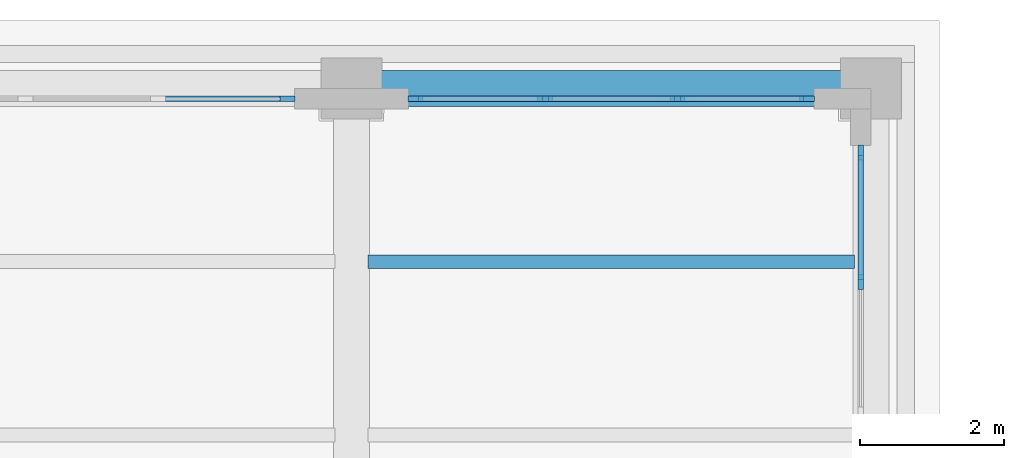
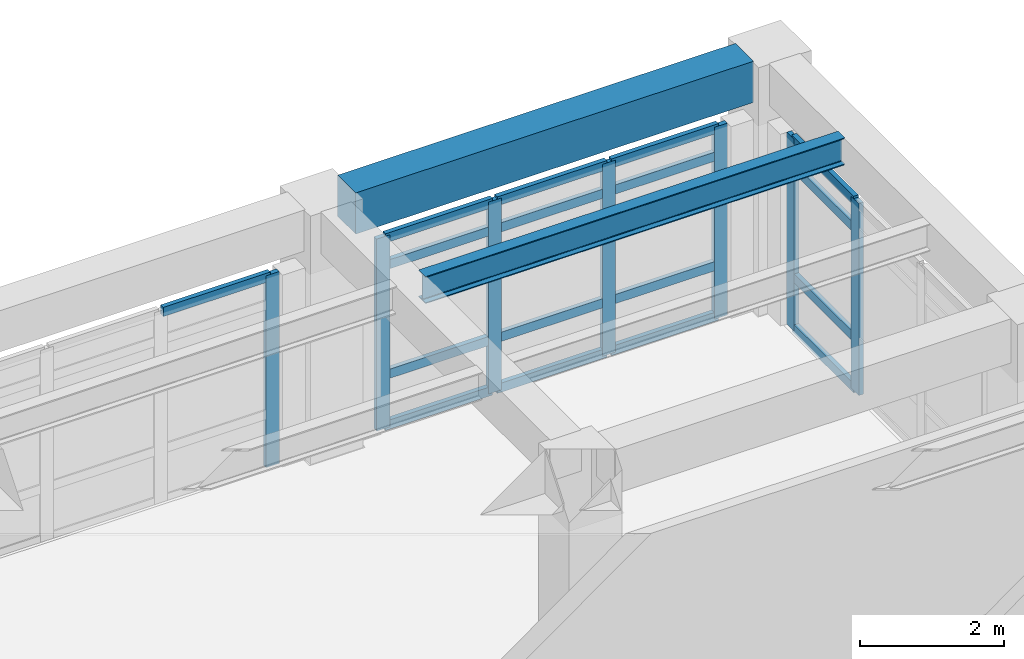
# One storey, part 34 of 69: 24 members, 2 beams, 3 elements without a shape of their own.
"""IFC4 building model written with IfcOpenShell, lengths in metres."""

from ifc_helpers import new_model, si_unit, direction, frame, origin, origin_2d, place, context, subcontext, project, spatial, rectangle, i_section, extrude, material, layer, layer_set, material_profile, profile_set, type_object, element, aggregate, save


model = new_model("IFC4")

# Units and contexts
model_context = context("Model", 3, precision=1e-05, world=origin(), true_north=direction((0.0, 1.0)))
body_context = subcontext(model_context, "Body", "Model", "MODEL_VIEW")
ifc_project = project(units=[si_unit("LENGTHUNIT", "METRE"), si_unit("AREAUNIT", "SQUARE_METRE"), si_unit("VOLUMEUNIT", "CUBIC_METRE"), si_unit("PLANEANGLEUNIT", "RADIAN"), si_unit("MASSUNIT", "GRAM", prefix="KILO")], contexts=[model_context])

# Site, building, storey
site_placement = place(None, origin())
site = spatial("IfcSite", under=ifc_project, at=site_placement, CompositionType="ELEMENT")
building_placement = place(site_placement, origin())
building = spatial("IfcBuilding", under=site, at=building_placement, Name="Solenvale Faculty of Natural Sciences", CompositionType="ELEMENT")
storey_placement = place(building_placement, frame((0.0, 0.0, 4.5)))
storey = spatial("IfcBuildingStorey", under=building, at=storey_placement, Name="L01", CompositionType="ELEMENT", Elevation=4.5)

# Beams
ifc_material_1 = material(Name="Precast concrete 40 MPa", Category="concrete")
ifc_material_profile_1 = material_profile(ifc_material_1, rectangle(XDim=0.5, YDim=0.699951171875, at=origin_2d()), Name="RC-BM-500x700")
ifc_profile_set_1 = profile_set([ifc_material_profile_1], Name="Precast concrete 40 MPa")
beam_type_1 = type_object("IfcBeamType", Name="BM-SPN-PRC-700", PredefinedType="SPANDREL", material=ifc_profile_set_1)
beam_1_placement = place(storey_placement, frame((144.405029296875, 115.199951171875, 3.8701171875), z_axis=(1.0, 0.0, 0.0), x_axis=(0.0, 1.0, 0.0)))
element("IfcBeam", 1, at=beam_1_placement, inside=storey, type_object=beam_type_1, Name="L01 X-Girder Y115.2 (144.0..151.2)", PredefinedType="SPANDREL", context=body_context, shape_type="SweptSolid", body=[
    extrude(rectangle(XDim=0.5, YDim=0.699951171875, at=origin_2d()), origin(), (0.0, 0.0, 1.0), 6.389892578125),
])
ifc_material_2 = material(Name="Steel S355", Category="steel")
ifc_material_profile_2 = material_profile(ifc_material_2, i_section(OverallWidth=0.19091796875, OverallDepth=0.4599609375, WebThickness=0.010009765625, FlangeThickness=0.01611328125, FilletRadius=0.01806640625, at=origin_2d()), Name="W460x82")
ifc_profile_set_2 = profile_set([ifc_material_profile_2], Name="Steel S355")
beam_type_2 = type_object("IfcBeamType", Name="BM-STL-W460x82", PredefinedType="JOIST", material=ifc_profile_set_2)
beam_2_placement = place(storey_placement, frame((144.22998046875, 112.800048828125, 3.989990234375), z_axis=(1.0, 0.0, 0.0), x_axis=(0.0, 1.0, 0.0)))
element("IfcBeam", 2, at=beam_2_placement, inside=storey, type_object=beam_type_2, Name="L01 Composite Floor Joist (21,16).2", PredefinedType="JOIST", context=body_context, shape_type="SweptSolid", body=[
    extrude(i_section(OverallWidth=0.19091796875, OverallDepth=0.4599609375, WebThickness=0.010009765625, FlangeThickness=0.01611328125, FilletRadius=0.01806640625, at=origin_2d()), origin(), (0.0, 0.0, 1.0), 6.739990234375),
])

# Curtain wall, members
ifc_material_3 = material(Name="Anodised bronze aluminium", Category="aluminium")
ifc_layer = layer(ifc_material_3, 0.179931640625)
ifc_layer_set = layer_set([ifc_layer], Name="Anodised bronze aluminium")
curtain_wall_type = type_object("IfcCurtainWallType", Name="CW-TWR-MOD", PredefinedType="USERDEFINED", material=ifc_layer_set)
curtain_wall_1_placement = place(storey_placement, origin())
curtain_wall_1 = element("IfcCurtainWall", 3, at=curtain_wall_1_placement, inside=storey, type_object=curtain_wall_type, Name="L01 Curtain Wall CW-L01-P2-E3-B3", ObjectType="UNITISED CURTAIN WALL", PredefinedType="USERDEFINED")
ifc_material_profile_3 = material_profile(ifc_material_3, rectangle(XDim=0.074951171875, YDim=0.2099609375, at=origin_2d()), Name="ALU-MUL-75x210")
ifc_profile_set_3 = profile_set([ifc_material_profile_3], Name="Anodised bronze aluminium")
member_type_1 = type_object("IfcMemberType", Name="CWM-ALU-75x210", PredefinedType="MULLION", material=ifc_profile_set_3)
member_1_placement = place(storey_placement, frame((151.0576171875, 112.5166015625, 0.0), z_axis=(0.0, 0.0, 1.0), x_axis=(-1.0, 0.0, 0.0)))
member_1 = element("IfcMember", 4, at=member_1_placement, type_object=member_type_1, Name="CW-04 mullion 3", PredefinedType="MULLION", context=body_context, shape_type="SweptSolid", body=[
    extrude(rectangle(XDim=0.074951171875, YDim=0.2099609375, at=origin_2d()), origin(), (0.0, 0.0, 1.0), 3.260009765625),
])
member_2_placement = place(storey_placement, frame((151.0576171875, 114.3125, 0.0), z_axis=(0.0, 0.0, 1.0), x_axis=(-1.0, 0.0, 0.0)))
member_2 = element("IfcMember", 5, at=member_2_placement, type_object=member_type_1, Name="CW-04 mullion 4", PredefinedType="MULLION", context=body_context, shape_type="SweptSolid", body=[
    extrude(rectangle(XDim=0.074951171875, YDim=0.2099609375, at=origin_2d()), origin(), (0.0, 0.0, 1.0), 3.260009765625),
])

curtain_wall_2_placement = place(storey_placement, origin())
curtain_wall_2 = element("IfcCurtainWall", 6, at=curtain_wall_2_placement, inside=storey, type_object=curtain_wall_type, Name="L01 Curtain Wall CW-L01-P2-E4-B1", ObjectType="UNITISED CURTAIN WALL", PredefinedType="USERDEFINED")
member_3_placement = place(storey_placement, frame((150.3125, 115.0576171875, 0.0), z_axis=(0.0, 0.0, 1.0), x_axis=(0.0, -1.0, 0.0)))
member_3 = element("IfcMember", 7, at=member_3_placement, type_object=member_type_1, Name="CW-04 mullion 1", PredefinedType="MULLION", context=body_context, shape_type="SweptSolid", body=[
    extrude(rectangle(XDim=0.074951171875, YDim=0.2099609375, at=origin_2d()), origin(), (0.0, 0.0, 1.0), 3.260009765625),
])
member_4_placement = place(storey_placement, frame((148.5166015625, 115.0576171875, 0.0), z_axis=(0.0, 0.0, 1.0), x_axis=(0.0, -1.0, 0.0)))
member_4 = element("IfcMember", 8, at=member_4_placement, type_object=member_type_1, Name="CW-04 mullion 2", PredefinedType="MULLION", context=body_context, shape_type="SweptSolid", body=[
    extrude(rectangle(XDim=0.074951171875, YDim=0.2099609375, at=origin_2d()), origin(), (0.0, 0.0, 1.0), 3.260009765625),
])
member_5_placement = place(storey_placement, frame((146.683349609375, 115.0576171875, 0.0), z_axis=(0.0, 0.0, 1.0), x_axis=(0.0, -1.0, 0.0)))
member_5 = element("IfcMember", 9, at=member_5_placement, type_object=member_type_1, Name="CW-04 mullion 3", PredefinedType="MULLION", context=body_context, shape_type="SweptSolid", body=[
    extrude(rectangle(XDim=0.074951171875, YDim=0.2099609375, at=origin_2d()), origin(), (0.0, 0.0, 1.0), 3.260009765625),
])
member_6_placement = place(storey_placement, frame((144.887451171875, 115.0576171875, 0.0), z_axis=(0.0, 0.0, 1.0), x_axis=(0.0, -1.0, 0.0)))
member_6 = element("IfcMember", 10, at=member_6_placement, type_object=member_type_1, Name="CW-04 mullion 4", PredefinedType="MULLION", context=body_context, shape_type="SweptSolid", body=[
    extrude(rectangle(XDim=0.074951171875, YDim=0.2099609375, at=origin_2d()), origin(), (0.0, 0.0, 1.0), 3.260009765625),
])

# Curtain wall, member
curtain_wall_3_placement = place(storey_placement, origin())
curtain_wall_3 = element("IfcCurtainWall", 11, at=curtain_wall_3_placement, inside=storey, type_object=curtain_wall_type, Name="L01 Curtain Wall CW-L01-P2-E4-B2", ObjectType="UNITISED CURTAIN WALL", PredefinedType="USERDEFINED")
member_7_placement = place(storey_placement, frame((143.112548828125, 115.0576171875, 0.0), z_axis=(0.0, 0.0, 1.0), x_axis=(0.0, -1.0, 0.0)))
member_7 = element("IfcMember", 12, at=member_7_placement, type_object=member_type_1, Name="CW-04 mullion 1", PredefinedType="MULLION", context=body_context, shape_type="SweptSolid", body=[
    extrude(rectangle(XDim=0.074951171875, YDim=0.2099609375, at=origin_2d()), origin(), (0.0, 0.0, 1.0), 3.260009765625),
])

# Member
ifc_material_profile_4 = material_profile(ifc_material_3, rectangle(XDim=0.074951171875, YDim=0.155029296875, at=origin_2d()), Name="ALU-TRN-75x155")
ifc_profile_set_4 = profile_set([ifc_material_profile_4], Name="Anodised bronze aluminium")
member_type_2 = type_object("IfcMemberType", Name="CWT-ALU-75x155", PredefinedType="USERDEFINED", material=ifc_profile_set_4)
member_8_placement = place(storey_placement, frame((151.0576171875, 112.55419921875, 0.03759765625), z_axis=(0.0, 1.0, 0.0), x_axis=(-1.0, 0.0, 0.0)))
member_8 = element("IfcMember", 13, at=member_8_placement, type_object=member_type_2, Name="CW-04 transom 3.1", ObjectType="TRANSOM", PredefinedType="USERDEFINED", context=body_context, shape_type="SweptSolid", body=[
    extrude(rectangle(XDim=0.074951171875, YDim=0.155029296875, at=origin_2d()), origin(), (0.0, 0.0, 1.0), 1.720703125),
])

member_9_placement = place(storey_placement, frame((151.0576171875, 112.55419921875, 0.89990234375), z_axis=(0.0, 1.0, 0.0), x_axis=(-1.0, 0.0, 0.0)))
member_9 = element("IfcMember", 14, at=member_9_placement, type_object=member_type_2, Name="CW-04 transom 3.2", ObjectType="TRANSOM", PredefinedType="USERDEFINED", context=body_context, shape_type="SweptSolid", body=[
    extrude(rectangle(XDim=0.074951171875, YDim=0.155029296875, at=origin_2d()), origin(), (0.0, 0.0, 1.0), 1.720703125),
])

member_10_placement = place(storey_placement, frame((151.0576171875, 112.55419921875, 2.760009765625), z_axis=(0.0, 1.0, 0.0), x_axis=(-1.0, 0.0, 0.0)))
member_10 = element("IfcMember", 15, at=member_10_placement, type_object=member_type_2, Name="CW-04 transom 3.3", ObjectType="TRANSOM", PredefinedType="USERDEFINED", context=body_context, shape_type="SweptSolid", body=[
    extrude(rectangle(XDim=0.074951171875, YDim=0.155029296875, at=origin_2d()), origin(), (0.0, 0.0, 1.0), 1.720703125),
])

member_11_placement = place(storey_placement, frame((151.0576171875, 112.55419921875, 3.222412109375), z_axis=(0.0, 1.0, 0.0), x_axis=(-1.0, 0.0, 0.0)))
member_11 = element("IfcMember", 16, at=member_11_placement, type_object=member_type_2, Name="CW-04 transom 3.4", ObjectType="TRANSOM", PredefinedType="USERDEFINED", context=body_context, shape_type="SweptSolid", body=[
    extrude(rectangle(XDim=0.074951171875, YDim=0.155029296875, at=origin_2d()), origin(), (0.0, 0.0, 1.0), 1.720703125),
])

aggregate(curtain_wall_1, [member_1, member_2, member_8, member_9, member_10, member_11])

member_12_placement = place(storey_placement, frame((150.27490234375, 115.0576171875, 0.03759765625), z_axis=(-1.0, 0.0, 0.0), x_axis=(0.0, -1.0, 0.0)))
member_12 = element("IfcMember", 17, at=member_12_placement, type_object=member_type_2, Name="CW-04 transom 1.1", ObjectType="TRANSOM", PredefinedType="USERDEFINED", context=body_context, shape_type="SweptSolid", body=[
    extrude(rectangle(XDim=0.074951171875, YDim=0.155029296875, at=origin_2d()), origin(), (0.0, 0.0, 1.0), 1.720703125),
])

member_13_placement = place(storey_placement, frame((150.27490234375, 115.0576171875, 0.89990234375), z_axis=(-1.0, 0.0, 0.0), x_axis=(0.0, -1.0, 0.0)))
member_13 = element("IfcMember", 18, at=member_13_placement, type_object=member_type_2, Name="CW-04 transom 1.2", ObjectType="TRANSOM", PredefinedType="USERDEFINED", context=body_context, shape_type="SweptSolid", body=[
    extrude(rectangle(XDim=0.074951171875, YDim=0.155029296875, at=origin_2d()), origin(), (0.0, 0.0, 1.0), 1.720703125),
])

member_14_placement = place(storey_placement, frame((150.27490234375, 115.0576171875, 2.760009765625), z_axis=(-1.0, 0.0, 0.0), x_axis=(0.0, -1.0, 0.0)))
member_14 = element("IfcMember", 19, at=member_14_placement, type_object=member_type_2, Name="CW-04 transom 1.3", ObjectType="TRANSOM", PredefinedType="USERDEFINED", context=body_context, shape_type="SweptSolid", body=[
    extrude(rectangle(XDim=0.074951171875, YDim=0.155029296875, at=origin_2d()), origin(), (0.0, 0.0, 1.0), 1.720703125),
])

member_15_placement = place(storey_placement, frame((150.27490234375, 115.0576171875, 3.222412109375), z_axis=(-1.0, 0.0, 0.0), x_axis=(0.0, -1.0, 0.0)))
member_15 = element("IfcMember", 20, at=member_15_placement, type_object=member_type_2, Name="CW-04 transom 1.4", ObjectType="TRANSOM", PredefinedType="USERDEFINED", context=body_context, shape_type="SweptSolid", body=[
    extrude(rectangle(XDim=0.074951171875, YDim=0.155029296875, at=origin_2d()), origin(), (0.0, 0.0, 1.0), 1.720703125),
])

member_16_placement = place(storey_placement, frame((148.479248046875, 115.0576171875, 0.03759765625), z_axis=(-1.0, 0.0, 0.0), x_axis=(0.0, -1.0, 0.0)))
member_16 = element("IfcMember", 21, at=member_16_placement, type_object=member_type_2, Name="CW-04 transom 2.1", ObjectType="TRANSOM", PredefinedType="USERDEFINED", context=body_context, shape_type="SweptSolid", body=[
    extrude(rectangle(XDim=0.074951171875, YDim=0.155029296875, at=origin_2d()), origin(), (0.0, 0.0, 1.0), 1.75830078125),
])

member_17_placement = place(storey_placement, frame((148.479248046875, 115.0576171875, 0.89990234375), z_axis=(-1.0, 0.0, 0.0), x_axis=(0.0, -1.0, 0.0)))
member_17 = element("IfcMember", 22, at=member_17_placement, type_object=member_type_2, Name="CW-04 transom 2.2", ObjectType="TRANSOM", PredefinedType="USERDEFINED", context=body_context, shape_type="SweptSolid", body=[
    extrude(rectangle(XDim=0.074951171875, YDim=0.155029296875, at=origin_2d()), origin(), (0.0, 0.0, 1.0), 1.75830078125),
])

member_18_placement = place(storey_placement, frame((148.479248046875, 115.0576171875, 2.760009765625), z_axis=(-1.0, 0.0, 0.0), x_axis=(0.0, -1.0, 0.0)))
member_18 = element("IfcMember", 23, at=member_18_placement, type_object=member_type_2, Name="CW-04 transom 2.3", ObjectType="TRANSOM", PredefinedType="USERDEFINED", context=body_context, shape_type="SweptSolid", body=[
    extrude(rectangle(XDim=0.074951171875, YDim=0.155029296875, at=origin_2d()), origin(), (0.0, 0.0, 1.0), 1.75830078125),
])

member_19_placement = place(storey_placement, frame((148.479248046875, 115.0576171875, 3.222412109375), z_axis=(-1.0, 0.0, 0.0), x_axis=(0.0, -1.0, 0.0)))
member_19 = element("IfcMember", 24, at=member_19_placement, type_object=member_type_2, Name="CW-04 transom 2.4", ObjectType="TRANSOM", PredefinedType="USERDEFINED", context=body_context, shape_type="SweptSolid", body=[
    extrude(rectangle(XDim=0.074951171875, YDim=0.155029296875, at=origin_2d()), origin(), (0.0, 0.0, 1.0), 1.75830078125),
])

member_20_placement = place(storey_placement, frame((146.645751953125, 115.0576171875, 0.03759765625), z_axis=(-1.0, 0.0, 0.0), x_axis=(0.0, -1.0, 0.0)))
member_20 = element("IfcMember", 25, at=member_20_placement, type_object=member_type_2, Name="CW-04 transom 3.1", ObjectType="TRANSOM", PredefinedType="USERDEFINED", context=body_context, shape_type="SweptSolid", body=[
    extrude(rectangle(XDim=0.074951171875, YDim=0.155029296875, at=origin_2d()), origin(), (0.0, 0.0, 1.0), 1.720703125),
])

member_21_placement = place(storey_placement, frame((146.645751953125, 115.0576171875, 0.89990234375), z_axis=(-1.0, 0.0, 0.0), x_axis=(0.0, -1.0, 0.0)))
member_21 = element("IfcMember", 26, at=member_21_placement, type_object=member_type_2, Name="CW-04 transom 3.2", ObjectType="TRANSOM", PredefinedType="USERDEFINED", context=body_context, shape_type="SweptSolid", body=[
    extrude(rectangle(XDim=0.074951171875, YDim=0.155029296875, at=origin_2d()), origin(), (0.0, 0.0, 1.0), 1.720703125),
])

member_22_placement = place(storey_placement, frame((146.645751953125, 115.0576171875, 2.760009765625), z_axis=(-1.0, 0.0, 0.0), x_axis=(0.0, -1.0, 0.0)))
member_22 = element("IfcMember", 27, at=member_22_placement, type_object=member_type_2, Name="CW-04 transom 3.3", ObjectType="TRANSOM", PredefinedType="USERDEFINED", context=body_context, shape_type="SweptSolid", body=[
    extrude(rectangle(XDim=0.074951171875, YDim=0.155029296875, at=origin_2d()), origin(), (0.0, 0.0, 1.0), 1.720703125),
])

member_23_placement = place(storey_placement, frame((146.645751953125, 115.0576171875, 3.222412109375), z_axis=(-1.0, 0.0, 0.0), x_axis=(0.0, -1.0, 0.0)))
member_23 = element("IfcMember", 28, at=member_23_placement, type_object=member_type_2, Name="CW-04 transom 3.4", ObjectType="TRANSOM", PredefinedType="USERDEFINED", context=body_context, shape_type="SweptSolid", body=[
    extrude(rectangle(XDim=0.074951171875, YDim=0.155029296875, at=origin_2d()), origin(), (0.0, 0.0, 1.0), 1.720703125),
])

aggregate(curtain_wall_2, [member_3, member_4, member_5, member_6, member_12, member_13, member_14, member_15, member_16, member_17, member_18, member_19, member_20, member_21, member_22, member_23])

member_24_placement = place(storey_placement, frame((143.074951171875, 115.0576171875, 3.222412109375), z_axis=(-1.0, 0.0, 0.0), x_axis=(0.0, -1.0, 0.0)))
member_24 = element("IfcMember", 29, at=member_24_placement, type_object=member_type_2, Name="CW-04 transom 1.4", ObjectType="TRANSOM", PredefinedType="USERDEFINED", context=body_context, shape_type="SweptSolid", body=[
    extrude(rectangle(XDim=0.074951171875, YDim=0.155029296875, at=origin_2d()), origin(), (0.0, 0.0, 1.0), 1.720703125),
])

aggregate(curtain_wall_3, [member_7, member_24])

save(model, "model.ifc")
